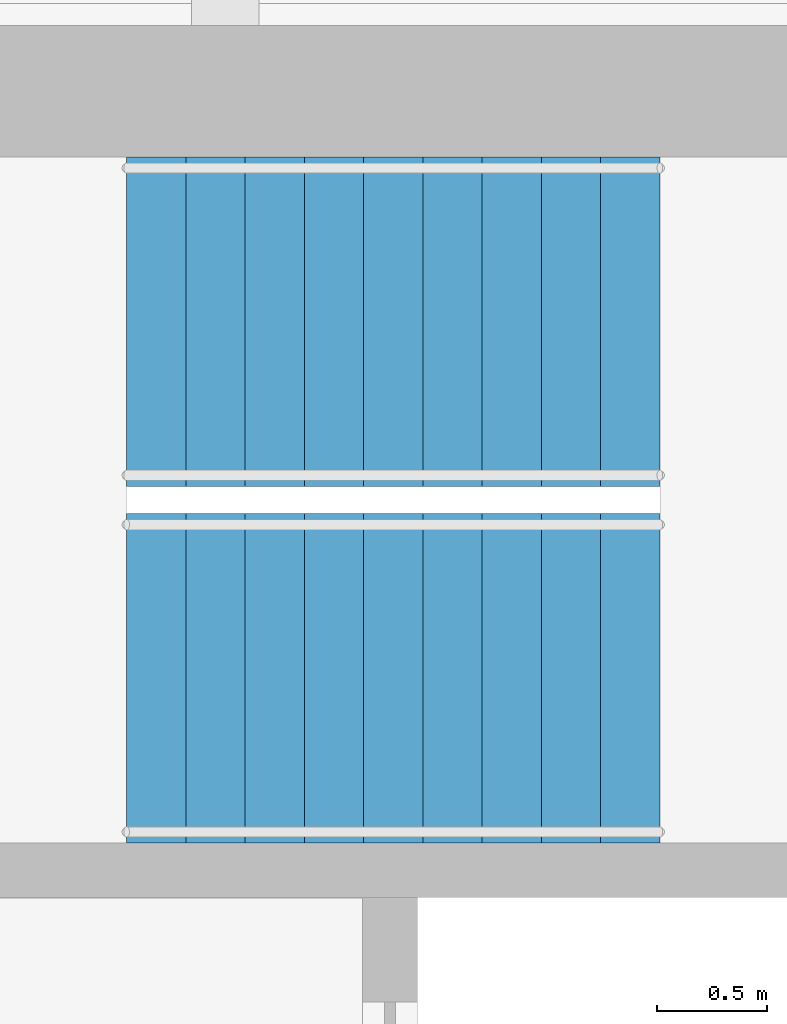
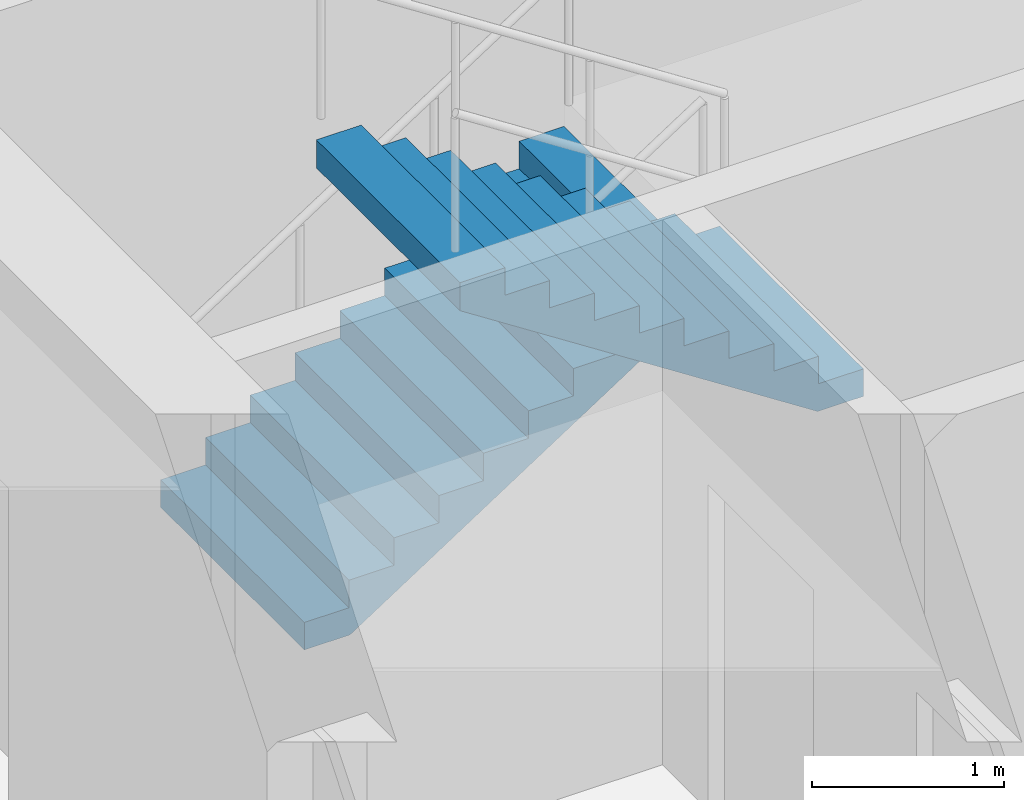
# One storey, part 16 of 21: 2 stair flights, 1 element without a shape of its own.
"""IFC4 building model written with IfcOpenShell, lengths in metres."""

from ifc_helpers import new_model, si_unit, direction, frame, origin, place, context, subcontext, project, spatial, polyline, outline, extrude, material, type_object, element, aggregate, save


model = new_model("IFC4")

# Units and contexts
model_context = context("Model", 3, precision=1e-05, world=origin(), true_north=direction((0.0, 1.0)))
body_context = subcontext(model_context, "Body", "Model", "MODEL_VIEW")
ifc_project = project(units=[si_unit("LENGTHUNIT", "METRE"), si_unit("AREAUNIT", "SQUARE_METRE"), si_unit("VOLUMEUNIT", "CUBIC_METRE"), si_unit("PLANEANGLEUNIT", "RADIAN"), si_unit("MASSUNIT", "GRAM", prefix="KILO")], contexts=[model_context])

# Site, building, storey
site_placement = place(None, origin())
site = spatial("IfcSite", under=ifc_project, at=site_placement, CompositionType="ELEMENT")
building_placement = place(site_placement, origin())
building = spatial("IfcBuilding", under=site, at=building_placement, Name="Msasa Ring Tower", CompositionType="ELEMENT")
storey_placement = place(building_placement, frame((0.0, 0.0, 33.5)))
storey = spatial("IfcBuildingStorey", under=building, at=storey_placement, Name="L07", CompositionType="ELEMENT", Elevation=33.5)

# Stair, stair flights
ifc_material_1 = material(Name="Concrete C40/50", Category="concrete")
stair_type = type_object("IfcStairType", Name="STC CORE STAIR 20 RISERS 175", PredefinedType="HALF_TURN_STAIR", material=ifc_material_1)
stair_placement = place(storey_placement, origin())
stair = element("IfcStair", 1, at=stair_placement, inside=storey, type_object=stair_type, Name="Core stair SEB L07", PredefinedType="HALF_TURN_STAIR")
ifc_material_2 = material(Name="Concrete C40/50", Category="concrete")
stair_flight_type = type_object("IfcStairFlightType", Name="ST12 CORE STAIR FLIGHT 1500 10 RISERS 175", PredefinedType="STRAIGHT", material=ifc_material_2)
stair_flight_1_placement = place(storey_placement, frame((10.800048828125, 5.699951171875, 0.0), z_axis=(0.0, 0.0, 1.0), x_axis=(1.0, 0.0, 0.0)))
stair_flight_1 = element("IfcStairFlight", 2, at=stair_flight_1_placement, type_object=stair_flight_type, Name="SEB flight 1", NumberOfRisers=10, NumberOfTreads=9, PredefinedType="STRAIGHT", RiserHeight=0.175, TreadLength=0.27, context=body_context, shape_type="SweptSolid", body=[
    extrude(outline(polyline([(0.0, 0.0), (0.0, 0.175048828125), (0.27001953125, 0.175048828125), (0.27001953125, 0.35009765625), (0.5400390625, 0.35009765625), (0.5400390625, 0.52490234375), (0.81005859375, 0.52490234375), (0.81005859375, 0.699951171875), (1.080078125, 0.699951171875), (1.080078125, 0.875), (1.35009765625, 0.875), (1.35009765625, 1.050048828125), (1.6201171875, 1.050048828125), (1.6201171875, 1.22509765625), (1.889892578125, 1.22509765625), (1.889892578125, 1.39990234375), (2.159912109375, 1.39990234375), (2.159912109375, 1.574951171875), (2.429931640625, 1.574951171875), (2.429931640625, 1.75), (2.429931640625, 1.396484375), (0.275634765625, 0.0), (0.0, 0.0)])), frame((0.0, 0.75, 0.0), z_axis=(0.0, -1.0, 0.0), x_axis=(1.0, 0.0, 0.0)), (0.0, 0.0, 1.0), 1.5),
])
stair_flight_2_placement = place(storey_placement, frame((13.22998046875, 4.074951171875, 1.75), z_axis=(0.0, 0.0, 1.0), x_axis=(-1.0, 0.0, 0.0)))
stair_flight_2 = element("IfcStairFlight", 3, at=stair_flight_2_placement, type_object=stair_flight_type, Name="SEB flight 2", NumberOfRisers=10, NumberOfTreads=9, PredefinedType="STRAIGHT", RiserHeight=0.175, TreadLength=0.27, context=body_context, shape_type="SweptSolid", body=[
    extrude(outline(polyline([(0.0, 0.0), (0.0, 0.175048828125), (0.27001953125, 0.175048828125), (0.27001953125, 0.35009765625), (0.5400390625, 0.35009765625), (0.5400390625, 0.52490234375), (0.81005859375, 0.52490234375), (0.81005859375, 0.699951171875), (1.080078125, 0.699951171875), (1.080078125, 0.875), (1.35009765625, 0.875), (1.35009765625, 1.050048828125), (1.6201171875, 1.050048828125), (1.6201171875, 1.22509765625), (1.889892578125, 1.22509765625), (1.889892578125, 1.39990234375), (2.159912109375, 1.39990234375), (2.159912109375, 1.574951171875), (2.429931640625, 1.574951171875), (2.429931640625, 1.75), (2.429931640625, 1.396484375), (0.275634765625, 0.0), (0.0, 0.0)])), frame((0.0, 0.75, 0.0), z_axis=(0.0, -1.0, 0.0), x_axis=(1.0, 0.0, 0.0)), (0.0, 0.0, 1.0), 1.5),
])
aggregate(stair, [stair_flight_1, stair_flight_2])

save(model, "model.ifc")
